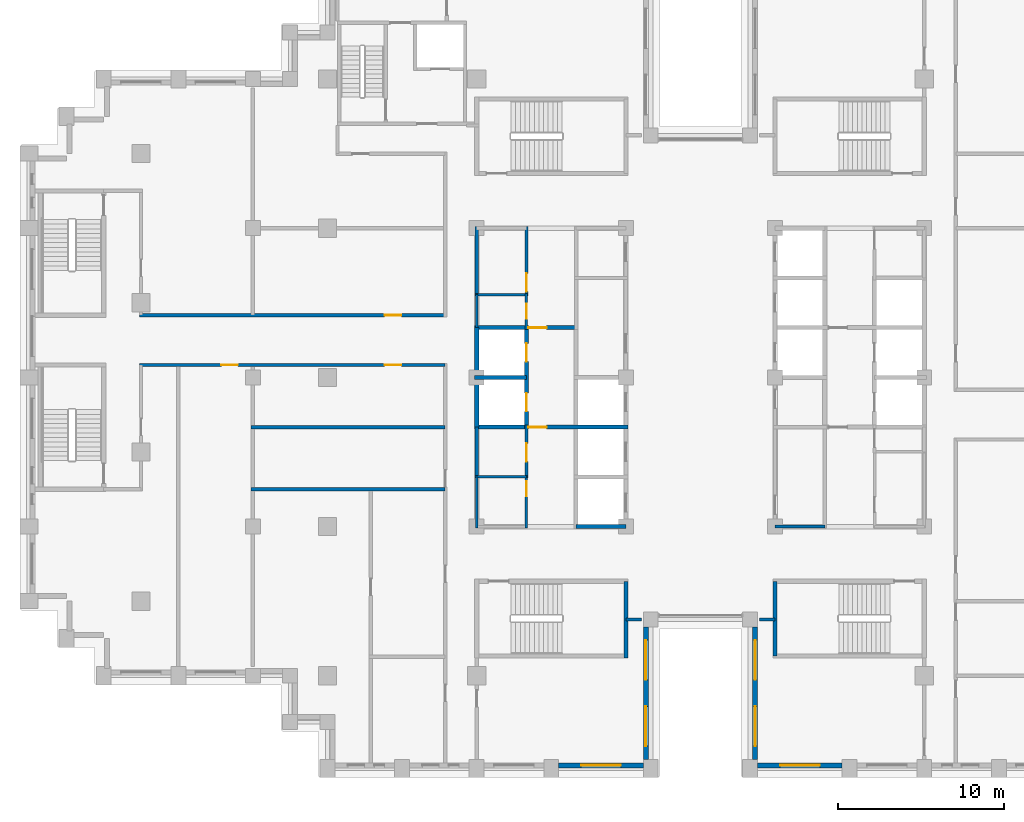
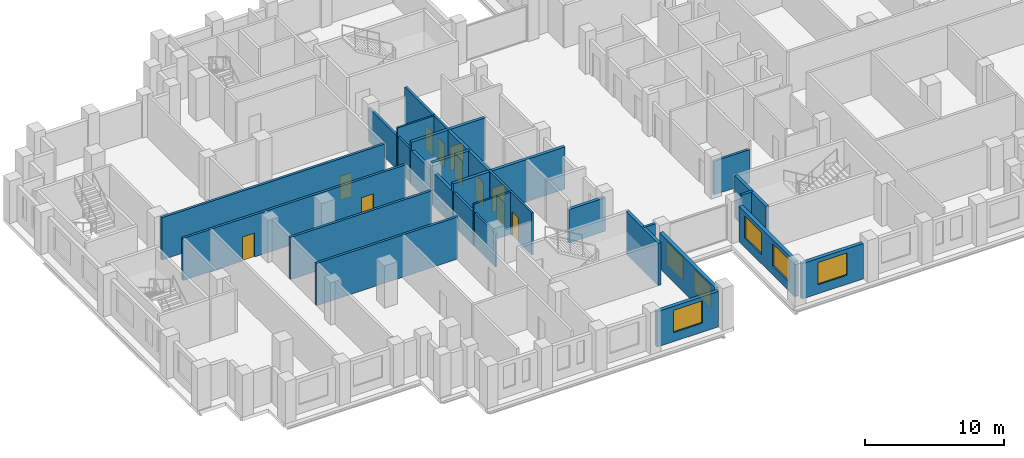
# One storey, part 7 of 15: 29 walls, 11 doors, 6 windows, 17 openings.
"""IFC4 building model written with IfcOpenShell, lengths in metres."""

from ifc_helpers import new_model, si_unit, direction, frame, frame_2d, origin, place, context, subcontext, project, spatial, rectangle, extrude, material, layer, layer_set, type_object, element, fill, save


model = new_model("IFC4")

# Units and contexts
model_context = context("Model", 3, precision=1e-05, world=origin(), true_north=direction((0.0, 1.0)))
body_context = subcontext(model_context, "Body", "Model", "MODEL_VIEW")
ifc_project = project(units=[si_unit("LENGTHUNIT", "METRE"), si_unit("AREAUNIT", "SQUARE_METRE"), si_unit("VOLUMEUNIT", "CUBIC_METRE"), si_unit("PLANEANGLEUNIT", "RADIAN"), si_unit("MASSUNIT", "GRAM", prefix="KILO")], contexts=[model_context])

# Site, building, storey
site_placement = place(None, origin())
site = spatial("IfcSite", under=ifc_project, at=site_placement, CompositionType="ELEMENT")
building_placement = place(site_placement, origin())
building = spatial("IfcBuilding", under=site, at=building_placement, Name="Corbelhall Arena Tower", CompositionType="ELEMENT")
storey_placement = place(building_placement, frame((0.0, 0.0, 130.0)))
storey = spatial("IfcBuildingStorey", under=building, at=storey_placement, Name="L24", CompositionType="ELEMENT", Elevation=130.0)

# Wall, opening, window
ifc_material_1 = material(Name="Precast concrete C40/50 with granite facing", Category="masonry")
ifc_layer_1 = layer(ifc_material_1, 0.300048828125)
ifc_layer_set_1 = layer_set([ifc_layer_1], Name="EV-IW1 Infill panel 300")
wall_type_1 = type_object("IfcWallType", Name="EV-IW1 Infill panel 300", PredefinedType="SOLIDWALL", material=ifc_layer_set_1)
wall_1_placement = place(storey_placement, frame((-8.550048828125, -23.39990234375, 0.0), z_axis=(0.0, 0.0, 1.0), x_axis=(1.0, 0.0, 0.0)))
wall_1 = element("IfcWall", 1, at=wall_1_placement, inside=storey, type_object=wall_type_1, Name="Infill panel IW1", PredefinedType="SOLIDWALL", context=body_context, shape_type="SweptSolid", body=[
    extrude(rectangle(XDim=5.10009765625, YDim=0.300048828125, at=frame_2d((2.550048828125, 0.0))), origin(), (0.0, 0.0, 1.0), 3.10009765625),
])
opening_1_placement = place(wall_1_placement, frame((1.35009765625, 0.0, 0.800048828125)))
opening_1 = element("IfcOpeningElement", 2, at=opening_1_placement, cuts=wall_1, Name="Opening WN1", PredefinedType="OPENING", context=body_context, shape_type="SweptSolid", body=[
    extrude(rectangle(XDim=2.39990234375, YDim=1.949951171875, at=frame_2d((1.199951171875, 0.97509765625))), frame((0.0, 0.14990234375, 0.0), z_axis=(0.0, -1.0, 0.0), x_axis=(1.0, 0.0, 0.0)), (0.0, 0.0, 1.0), 0.300048828125),
])
ifc_material_2 = material(Name="Aluminium black anodised", Category="aluminium")
window_type = type_object("IfcWindowType", Name="EV-WN1 Office window", PartitioningType="SINGLE_PANEL", PredefinedType="WINDOW", material=ifc_material_2)
window_1_placement = place(opening_1_placement, origin())
window_1 = element("IfcWindow", 3, at=window_1_placement, inside=storey, type_object=window_type, Name="Window WN1", OverallHeight=1.949951171875, OverallWidth=2.39990234375, PartitioningType="SINGLE_PANEL", PredefinedType="WINDOW", context=body_context, shape_type="SweptSolid", body=[
    extrude(rectangle(XDim=2.39990234375, YDim=1.949951171875, at=frame_2d((1.199951171875, 0.97509765625))), frame((0.0, 0.030029296875, 0.0), z_axis=(0.0, -1.0, 0.0), x_axis=(1.0, 0.0, 0.0)), (0.0, 0.0, 1.0), 0.06005859375),
])
fill(opening_1, window_1)

# Wall, openings, windows
wall_2_placement = place(storey_placement, frame((-3.300048828125, -23.050048828125, 0.0), z_axis=(0.0, 0.0, 1.0), x_axis=(0.0, 1.0, 0.0)))
wall_2 = element("IfcWall", 4, at=wall_2_placement, inside=storey, type_object=wall_type_1, Name="Infill panel IW1", PredefinedType="SOLIDWALL", context=body_context, shape_type="SweptSolid", body=[
    extrude(rectangle(XDim=8.0, YDim=0.300048828125, at=frame_2d((4.0, 0.0))), origin(), (0.0, 0.0, 1.0), 3.10009765625),
])
opening_2_placement = place(wall_2_placement, frame((0.800048828125, 0.0, 0.800048828125)))
opening_2 = element("IfcOpeningElement", 5, at=opening_2_placement, cuts=wall_2, Name="Opening WN1", PredefinedType="OPENING", context=body_context, shape_type="SweptSolid", body=[
    extrude(rectangle(XDim=2.39990234375, YDim=1.949951171875, at=frame_2d((1.199951171875, 0.97509765625))), frame((0.0, 0.14990234375, 0.0), z_axis=(0.0, -1.0, 0.0), x_axis=(1.0, 0.0, 0.0)), (0.0, 0.0, 1.0), 0.300048828125),
])
opening_3_placement = place(wall_2_placement, frame((4.800048828125, 0.0, 0.800048828125)))
opening_3 = element("IfcOpeningElement", 6, at=opening_3_placement, cuts=wall_2, Name="Opening WN1", PredefinedType="OPENING", context=body_context, shape_type="SweptSolid", body=[
    extrude(rectangle(XDim=2.39990234375, YDim=1.949951171875, at=frame_2d((1.199951171875, 0.97509765625))), frame((0.0, 0.14990234375, 0.0), z_axis=(0.0, -1.0, 0.0), x_axis=(1.0, 0.0, 0.0)), (0.0, 0.0, 1.0), 0.300048828125),
])
window_2_placement = place(opening_2_placement, origin())
window_2 = element("IfcWindow", 7, at=window_2_placement, inside=storey, type_object=window_type, Name="Window WN1", OverallHeight=1.949951171875, OverallWidth=2.39990234375, PartitioningType="SINGLE_PANEL", PredefinedType="WINDOW", context=body_context, shape_type="SweptSolid", body=[
    extrude(rectangle(XDim=2.39990234375, YDim=1.949951171875, at=frame_2d((1.199951171875, 0.97509765625))), frame((0.0, 0.030029296875, 0.0), z_axis=(0.0, -1.0, 0.0), x_axis=(1.0, 0.0, 0.0)), (0.0, 0.0, 1.0), 0.06005859375),
])
fill(opening_2, window_2)
window_3_placement = place(opening_3_placement, origin())
window_3 = element("IfcWindow", 8, at=window_3_placement, inside=storey, type_object=window_type, Name="Window WN1", OverallHeight=1.949951171875, OverallWidth=2.39990234375, PartitioningType="SINGLE_PANEL", PredefinedType="WINDOW", context=body_context, shape_type="SweptSolid", body=[
    extrude(rectangle(XDim=2.39990234375, YDim=1.949951171875, at=frame_2d((1.199951171875, 0.97509765625))), frame((0.0, 0.030029296875, 0.0), z_axis=(0.0, -1.0, 0.0), x_axis=(1.0, 0.0, 0.0)), (0.0, 0.0, 1.0), 0.06005859375),
])
fill(opening_3, window_3)

wall_3_placement = place(storey_placement, frame((3.300048828125, -15.050048828125, 0.0), z_axis=(0.0, 0.0, 1.0), x_axis=(0.0, -1.0, 0.0)))
wall_3 = element("IfcWall", 9, at=wall_3_placement, inside=storey, type_object=wall_type_1, Name="Infill panel IW1", PredefinedType="SOLIDWALL", context=body_context, shape_type="SweptSolid", body=[
    extrude(rectangle(XDim=8.0, YDim=0.300048828125, at=frame_2d((4.0, 0.0))), origin(), (0.0, 0.0, 1.0), 3.10009765625),
])
opening_4_placement = place(wall_3_placement, frame((0.800048828125, 0.0, 0.800048828125)))
opening_4 = element("IfcOpeningElement", 10, at=opening_4_placement, cuts=wall_3, Name="Opening WN1", PredefinedType="OPENING", context=body_context, shape_type="SweptSolid", body=[
    extrude(rectangle(XDim=2.39990234375, YDim=1.949951171875, at=frame_2d((1.199951171875, 0.97509765625))), frame((0.0, 0.14990234375, 0.0), z_axis=(0.0, -1.0, 0.0), x_axis=(1.0, 0.0, 0.0)), (0.0, 0.0, 1.0), 0.300048828125),
])
opening_5_placement = place(wall_3_placement, frame((4.800048828125, 0.0, 0.800048828125)))
opening_5 = element("IfcOpeningElement", 11, at=opening_5_placement, cuts=wall_3, Name="Opening WN1", PredefinedType="OPENING", context=body_context, shape_type="SweptSolid", body=[
    extrude(rectangle(XDim=2.39990234375, YDim=1.949951171875, at=frame_2d((1.199951171875, 0.97509765625))), frame((0.0, 0.14990234375, 0.0), z_axis=(0.0, -1.0, 0.0), x_axis=(1.0, 0.0, 0.0)), (0.0, 0.0, 1.0), 0.300048828125),
])
window_4_placement = place(opening_4_placement, origin())
window_4 = element("IfcWindow", 12, at=window_4_placement, inside=storey, type_object=window_type, Name="Window WN1", OverallHeight=1.949951171875, OverallWidth=2.39990234375, PartitioningType="SINGLE_PANEL", PredefinedType="WINDOW", context=body_context, shape_type="SweptSolid", body=[
    extrude(rectangle(XDim=2.39990234375, YDim=1.949951171875, at=frame_2d((1.199951171875, 0.97509765625))), frame((0.0, 0.030029296875, 0.0), z_axis=(0.0, -1.0, 0.0), x_axis=(1.0, 0.0, 0.0)), (0.0, 0.0, 1.0), 0.06005859375),
])
fill(opening_4, window_4)
window_5_placement = place(opening_5_placement, origin())
window_5 = element("IfcWindow", 13, at=window_5_placement, inside=storey, type_object=window_type, Name="Window WN1", OverallHeight=1.949951171875, OverallWidth=2.39990234375, PartitioningType="SINGLE_PANEL", PredefinedType="WINDOW", context=body_context, shape_type="SweptSolid", body=[
    extrude(rectangle(XDim=2.39990234375, YDim=1.949951171875, at=frame_2d((1.199951171875, 0.97509765625))), frame((0.0, 0.030029296875, 0.0), z_axis=(0.0, -1.0, 0.0), x_axis=(1.0, 0.0, 0.0)), (0.0, 0.0, 1.0), 0.06005859375),
])
fill(opening_5, window_5)

# Wall, opening, window
wall_4_placement = place(storey_placement, frame((3.449951171875, -23.39990234375, 0.0), z_axis=(0.0, 0.0, 1.0), x_axis=(1.0, 0.0, 0.0)))
wall_4 = element("IfcWall", 14, at=wall_4_placement, inside=storey, type_object=wall_type_1, Name="Infill panel IW1", PredefinedType="SOLIDWALL", context=body_context, shape_type="SweptSolid", body=[
    extrude(rectangle(XDim=5.10009765625, YDim=0.300048828125, at=frame_2d((2.550048828125, 0.0))), origin(), (0.0, 0.0, 1.0), 3.10009765625),
])
opening_6_placement = place(wall_4_placement, frame((1.35009765625, 0.0, 0.800048828125)))
opening_6 = element("IfcOpeningElement", 15, at=opening_6_placement, cuts=wall_4, Name="Opening WN1", PredefinedType="OPENING", context=body_context, shape_type="SweptSolid", body=[
    extrude(rectangle(XDim=2.39990234375, YDim=1.949951171875, at=frame_2d((1.199951171875, 0.97509765625))), frame((0.0, 0.14990234375, 0.0), z_axis=(0.0, -1.0, 0.0), x_axis=(1.0, 0.0, 0.0)), (0.0, 0.0, 1.0), 0.300048828125),
])
window_6_placement = place(opening_6_placement, origin())
window_6 = element("IfcWindow", 16, at=window_6_placement, inside=storey, type_object=window_type, Name="Window WN1", OverallHeight=1.949951171875, OverallWidth=2.39990234375, PartitioningType="SINGLE_PANEL", PredefinedType="WINDOW", context=body_context, shape_type="SweptSolid", body=[
    extrude(rectangle(XDim=2.39990234375, YDim=1.949951171875, at=frame_2d((1.199951171875, 0.97509765625))), frame((0.0, 0.030029296875, 0.0), z_axis=(0.0, -1.0, 0.0), x_axis=(1.0, 0.0, 0.0)), (0.0, 0.0, 1.0), 0.06005859375),
])
fill(opening_6, window_6)

# Wall, opening, door
ifc_material_3 = material(Name="Gypsum board on steel stud, acoustic", Category="steel")
ifc_layer_2 = layer(ifc_material_3, 0.199951171875)
ifc_layer_set_2 = layer_set([ifc_layer_2], Name="IN-W-DM200")
wall_type_2 = type_object("IfcWallType", Name="IN-W-DM200", PredefinedType="PARTITIONING", material=ifc_layer_set_2)
wall_5_placement = place(storey_placement, frame((-33.85009765625, 3.75, 0.0), z_axis=(0.0, 0.0, 1.0), x_axis=(1.0, 0.0, 0.0)))
wall_5 = element("IfcWall", 17, at=wall_5_placement, inside=storey, type_object=wall_type_2, Name="Partition 002", PredefinedType="PARTITIONING", context=body_context, shape_type="SweptSolid", body=[
    extrude(rectangle(XDim=18.4501953125, YDim=0.199951171875, at=frame_2d((9.22509765625, 0.0))), origin(), (0.0, 0.0, 1.0), 3.699951171875),
])
opening_7_placement = place(wall_5_placement, frame((14.800048828125, 0.0, 0.0)))
opening_7 = element("IfcOpeningElement", 18, at=opening_7_placement, cuts=wall_5, Name="Opening 06027", PredefinedType="OPENING", context=body_context, shape_type="SweptSolid", body=[
    extrude(rectangle(XDim=1.0, YDim=2.10009765625, at=frame_2d((0.5, 1.050048828125))), frame((0.0, 0.10009765625, 0.0), z_axis=(0.0, -1.0, 0.0), x_axis=(1.0, 0.0, 0.0)), (0.0, 0.0, 1.0), 0.199951171875),
])
ifc_material_4 = material(Name="Steel door set", Category="steel")
door_type_1 = type_object("IfcDoorType", Name="IN-D-SW100", OperationType="NOTDEFINED", PredefinedType="DOOR", material=ifc_material_4)
door_1_placement = place(opening_7_placement, origin())
door_1 = element("IfcDoor", 19, at=door_1_placement, inside=storey, type_object=door_type_1, Name="Door 027", OperationType="SINGLE_SWING_RIGHT", OverallHeight=2.10009765625, OverallWidth=1.0, PredefinedType="DOOR", context=body_context, shape_type="SweptSolid", body=[
    extrude(rectangle(XDim=1.0, YDim=2.10009765625, at=frame_2d((0.5, 1.050048828125))), frame((0.0, 0.02490234375, 0.0), z_axis=(0.0, -1.0, 0.0), x_axis=(1.0, 0.0, 0.0)), (0.0, 0.0, 1.0), 0.050048828125),
])
fill(opening_7, door_1)

# Wall, openings, doors
wall_6_placement = place(storey_placement, frame((-15.39990234375, 0.75, 0.0), z_axis=(0.0, 0.0, 1.0), x_axis=(-1.0, 0.0, 0.0)))
wall_6 = element("IfcWall", 20, at=wall_6_placement, inside=storey, type_object=wall_type_2, Name="Partition 007", PredefinedType="PARTITIONING", context=body_context, shape_type="SweptSolid", body=[
    extrude(rectangle(XDim=18.4501953125, YDim=0.199951171875, at=frame_2d((9.22509765625, 0.0))), origin(), (0.0, 0.0, 1.0), 3.699951171875),
])
opening_8_placement = place(wall_6_placement, frame((2.64990234375, 0.0, 0.0)))
opening_8 = element("IfcOpeningElement", 21, at=opening_8_placement, cuts=wall_6, Name="Opening 06033", PredefinedType="OPENING", context=body_context, shape_type="SweptSolid", body=[
    extrude(rectangle(XDim=1.0, YDim=2.10009765625, at=frame_2d((0.5, 1.050048828125))), frame((0.0, 0.10009765625, 0.0), z_axis=(0.0, -1.0, 0.0), x_axis=(1.0, 0.0, 0.0)), (0.0, 0.0, 1.0), 0.199951171875),
])
opening_9_placement = place(wall_6_placement, frame((12.5, 0.0, 0.0)))
opening_9 = element("IfcOpeningElement", 22, at=opening_9_placement, cuts=wall_6, Name="Opening 06345", PredefinedType="OPENING", context=body_context, shape_type="SweptSolid", body=[
    extrude(rectangle(XDim=1.0, YDim=2.10009765625, at=frame_2d((0.5, 1.050048828125))), frame((0.0, 0.10009765625, 0.0), z_axis=(0.0, -1.0, 0.0), x_axis=(1.0, 0.0, 0.0)), (0.0, 0.0, 1.0), 0.199951171875),
])
door_2_placement = place(opening_8_placement, origin())
door_2 = element("IfcDoor", 23, at=door_2_placement, inside=storey, type_object=door_type_1, Name="Door 033", OperationType="SINGLE_SWING_RIGHT", OverallHeight=2.10009765625, OverallWidth=1.0, PredefinedType="DOOR", context=body_context, shape_type="SweptSolid", body=[
    extrude(rectangle(XDim=1.0, YDim=2.10009765625, at=frame_2d((0.5, 1.050048828125))), frame((0.0, 0.02490234375, 0.0), z_axis=(0.0, -1.0, 0.0), x_axis=(1.0, 0.0, 0.0)), (0.0, 0.0, 1.0), 0.050048828125),
])
fill(opening_8, door_2)
door_3_placement = place(opening_9_placement, origin())
door_3 = element("IfcDoor", 24, at=door_3_placement, inside=storey, type_object=door_type_1, Name="Door 045", OperationType="SINGLE_SWING_RIGHT", OverallHeight=2.10009765625, OverallWidth=1.0, PredefinedType="DOOR", context=body_context, shape_type="SweptSolid", body=[
    extrude(rectangle(XDim=1.0, YDim=2.10009765625, at=frame_2d((0.5, 1.050048828125))), frame((0.0, 0.02490234375, 0.0), z_axis=(0.0, -1.0, 0.0), x_axis=(1.0, 0.0, 0.0)), (0.0, 0.0, 1.0), 0.050048828125),
])
fill(opening_9, door_3)

# Walls
for number, where, z_axis, x_axis, name in (
    (25, (-27.10009765625, -6.75, 0.0), (0.0, 0.0, 1.0), (1.0, 0.0, 0.0), "Partition 008"),
    (26, (-27.10009765625, -3.0, 0.0), (0.0, 0.0, 1.0), (1.0, 0.0, 0.0), "Partition 009"),
):
    element("IfcWall", number, at=place(storey_placement, frame(where, z_axis=z_axis, x_axis=x_axis)), inside=storey, type_object=wall_type_2, Name=name, PredefinedType="PARTITIONING", context=body_context, shape_type="SweptSolid", body=[
        extrude(rectangle(XDim=11.7001953125, YDim=0.199951171875, at=frame_2d((5.85009765625, 0.0))), origin(), (0.0, 0.0, 1.0), 3.699951171875),
    ])
for number, where, z_axis, x_axis, name in (
    (27, (-3.550048828125, -14.60009765625, 0.0), (0.0, 0.0, 1.0), (-1.0, 0.0, 0.0), "Partition 024"),
    (28, (4.5, -14.60009765625, 0.0), (0.0, 0.0, 1.0), (-1.0, 0.0, 0.0), "Partition 026"),
):
    element("IfcWall", number, at=place(storey_placement, frame(where, z_axis=z_axis, x_axis=x_axis)), inside=storey, type_object=wall_type_2, Name=name, PredefinedType="PARTITIONING", context=body_context, shape_type="SweptSolid", body=[
        extrude(rectangle(XDim=0.949951171875, YDim=0.199951171875, at=frame_2d((0.47509765625, 0.0))), origin(), (0.0, 0.0, 1.0), 3.699951171875),
    ])

# Wall, opening, door
ifc_material_5 = material(Name="Concrete block wall", Category="concrete")
ifc_layer_3 = layer(ifc_material_5, 0.199951171875)
ifc_layer_set_3 = layer_set([ifc_layer_3], Name="IN-W-RS200")
wall_type_3 = type_object("IfcWallType", Name="IN-W-RS200", PredefinedType="SOLIDWALL", material=ifc_layer_set_3)
wall_7_placement = place(storey_placement, frame((-10.5, -6.074951171875, 0.0), z_axis=(0.0, 0.0, 1.0), x_axis=(0.0, 1.0, 0.0)))
wall_7 = element("IfcWall", 29, at=wall_7_placement, inside=storey, type_object=wall_type_3, Name="Partition 050", PredefinedType="SOLIDWALL", context=body_context, shape_type="SweptSolid", body=[
    extrude(rectangle(XDim=3.199951171875, YDim=0.199951171875, at=frame_2d((1.60009765625, 0.0))), origin(), (0.0, 0.0, 1.0), 3.699951171875),
])
opening_10_placement = place(wall_7_placement, frame((1.0, 0.0, 0.0)))
opening_10 = element("IfcOpeningElement", 30, at=opening_10_placement, cuts=wall_7, Name="Opening 06006", PredefinedType="OPENING", context=body_context, shape_type="SweptSolid", body=[
    extrude(rectangle(XDim=1.10009765625, YDim=2.10009765625, at=frame_2d((0.550048828125, 1.050048828125))), frame((0.0, 0.10009765625, 0.0), z_axis=(0.0, -1.0, 0.0), x_axis=(1.0, 0.0, 0.0)), (0.0, 0.0, 1.0), 0.199951171875),
])
door_type_2 = type_object("IfcDoorType", Name="IN-D-FD110", OperationType="NOTDEFINED", PredefinedType="DOOR", material=ifc_material_4)
door_4_placement = place(opening_10_placement, origin())
door_4 = element("IfcDoor", 31, at=door_4_placement, inside=storey, type_object=door_type_2, Name="Door 006", OperationType="SINGLE_SWING_LEFT", OverallHeight=2.10009765625, OverallWidth=1.10009765625, PredefinedType="DOOR", context=body_context, shape_type="SweptSolid", body=[
    extrude(rectangle(XDim=1.10009765625, YDim=2.10009765625, at=frame_2d((0.550048828125, 1.050048828125))), frame((0.0, 0.02490234375, 0.0), z_axis=(0.0, -1.0, 0.0), x_axis=(1.0, 0.0, 0.0)), (0.0, 0.0, 1.0), 0.050048828125),
])
fill(opening_10, door_4)

wall_8_placement = place(storey_placement, frame((-10.5, 4.925048828125, 0.0), z_axis=(0.0, 0.0, 1.0), x_axis=(0.0, 1.0, 0.0)))
wall_8 = element("IfcWall", 32, at=wall_8_placement, inside=storey, type_object=wall_type_3, Name="Partition 051", PredefinedType="SOLIDWALL", context=body_context, shape_type="SweptSolid", body=[
    extrude(rectangle(XDim=4.175048828125, YDim=0.199951171875, at=frame_2d((2.08740234375, 0.0))), origin(), (0.0, 0.0, 1.0), 3.699951171875),
])
opening_11_placement = place(wall_8_placement, frame((0.25, 0.0, 0.0)))
opening_11 = element("IfcOpeningElement", 33, at=opening_11_placement, cuts=wall_8, Name="Opening 06007", PredefinedType="OPENING", context=body_context, shape_type="SweptSolid", body=[
    extrude(rectangle(XDim=1.10009765625, YDim=2.10009765625, at=frame_2d((0.550048828125, 1.050048828125))), frame((0.0, 0.10009765625, 0.0), z_axis=(0.0, -1.0, 0.0), x_axis=(1.0, 0.0, 0.0)), (0.0, 0.0, 1.0), 0.199951171875),
])
door_5_placement = place(opening_11_placement, origin())
door_5 = element("IfcDoor", 34, at=door_5_placement, inside=storey, type_object=door_type_2, Name="Door 007", OperationType="SINGLE_SWING_RIGHT", OverallHeight=2.10009765625, OverallWidth=1.10009765625, PredefinedType="DOOR", context=body_context, shape_type="SweptSolid", body=[
    extrude(rectangle(XDim=1.10009765625, YDim=2.10009765625, at=frame_2d((0.550048828125, 1.050048828125))), frame((0.0, 0.02490234375, 0.0), z_axis=(0.0, -1.0, 0.0), x_axis=(1.0, 0.0, 0.0)), (0.0, 0.0, 1.0), 0.050048828125),
])
fill(opening_11, door_5)

# Walls
ifc_layer_4 = layer(ifc_material_5, 0.199951171875)
ifc_layer_set_4 = layer_set([ifc_layer_4], Name="IN-W-RS200 under beam 762 mm")
wall_type_4 = type_object("IfcWallType", Name="IN-W-RS200 under beam 762 mm", PredefinedType="SOLIDWALL", material=ifc_layer_set_4)
wall_9_placement = place(storey_placement, frame((-13.5, -6.0, 0.0), z_axis=(0.0, 0.0, 1.0), x_axis=(0.0, 1.0, 0.0)))
element("IfcWall", 35, at=wall_9_placement, inside=storey, type_object=wall_type_4, Name="Partition 047", PredefinedType="SOLIDWALL", context=body_context, shape_type="SweptSolid", body=[
    extrude(rectangle(XDim=3.0, YDim=0.199951171875, at=frame_2d((1.5, 0.0))), origin(), (0.0, 0.0, 1.0), 2.93798828125),
])
wall_10_placement = place(storey_placement, frame((-13.5, 5.0, 0.0), z_axis=(0.0, 0.0, 1.0), x_axis=(0.0, 1.0, 0.0)))
element("IfcWall", 36, at=wall_10_placement, inside=storey, type_object=wall_type_4, Name="Partition 048", PredefinedType="SOLIDWALL", context=body_context, shape_type="SweptSolid", body=[
    extrude(rectangle(XDim=4.10009765625, YDim=0.199951171875, at=frame_2d((2.050048828125, 0.0))), origin(), (0.0, 0.0, 1.0), 2.93798828125),
])
wall_11_placement = place(storey_placement, frame((7.5, -9.0, 0.0), z_axis=(0.0, 0.0, 1.0), x_axis=(-1.0, 0.0, 0.0)))
element("IfcWall", 37, at=wall_11_placement, inside=storey, type_object=wall_type_4, Name="Partition 058", PredefinedType="SOLIDWALL", context=body_context, shape_type="SweptSolid", body=[
    extrude(rectangle(XDim=3.0, YDim=0.199951171875, at=frame_2d((1.5, 0.0))), origin(), (0.0, 0.0, 1.0), 2.93798828125),
])
ifc_material_6 = material(Name="Concrete C40/50", Category="concrete")
ifc_layer_5 = layer(ifc_material_6, 0.25)
ifc_layer_set_5 = layer_set([ifc_layer_5], Name="IN-W-SH250")
wall_type_5 = type_object("IfcWallType", Name="IN-W-SH250", PredefinedType="SOLIDWALL", material=ifc_layer_set_5)
wall_12_placement = place(storey_placement, frame((-13.625, 0.0, 0.0), z_axis=(0.0, 0.0, 1.0), x_axis=(1.0, 0.0, 0.0)))
element("IfcWall", 38, at=wall_12_placement, inside=storey, type_object=wall_type_5, Name="Shaft wall 065", PredefinedType="SOLIDWALL", context=body_context, shape_type="SweptSolid", body=[
    extrude(rectangle(XDim=3.125, YDim=0.25, at=frame_2d((1.5625, 0.0))), origin(), (0.0, 0.0, 1.0), 3.699951171875),
])

# Wall, opening, door
wall_13_placement = place(storey_placement, frame((-13.625, 3.0, 0.0), z_axis=(0.0, 0.0, 1.0), x_axis=(1.0, 0.0, 0.0)))
wall_13 = element("IfcWall", 39, at=wall_13_placement, inside=storey, type_object=wall_type_5, Name="Shaft wall 066", PredefinedType="SOLIDWALL", context=body_context, shape_type="SweptSolid", body=[
    extrude(rectangle(XDim=6.125, YDim=0.25, at=frame_2d((3.0625, 0.0))), origin(), (0.0, 0.0, 1.0), 3.699951171875),
])
opening_12_placement = place(wall_13_placement, frame((3.25, 0.0, 0.0)))
opening_12 = element("IfcOpeningElement", 40, at=opening_12_placement, cuts=wall_13, Name="Opening 06004", PredefinedType="OPENING", context=body_context, shape_type="SweptSolid", body=[
    extrude(rectangle(XDim=1.10009765625, YDim=2.10009765625, at=frame_2d((0.550048828125, 1.050048828125))), frame((0.0, 0.125, 0.0), z_axis=(0.0, -1.0, 0.0), x_axis=(1.0, 0.0, 0.0)), (0.0, 0.0, 1.0), 0.25),
])
door_6_placement = place(opening_12_placement, origin())
door_6 = element("IfcDoor", 41, at=door_6_placement, inside=storey, type_object=door_type_2, Name="Door 004", OperationType="SINGLE_SWING_LEFT", OverallHeight=2.10009765625, OverallWidth=1.10009765625, PredefinedType="DOOR", context=body_context, shape_type="SweptSolid", body=[
    extrude(rectangle(XDim=1.10009765625, YDim=2.10009765625, at=frame_2d((0.550048828125, 1.050048828125))), frame((0.0, 0.02490234375, 0.0), z_axis=(0.0, -1.0, 0.0), x_axis=(1.0, 0.0, 0.0)), (0.0, 0.0, 1.0), 0.050048828125),
])
fill(opening_12, door_6)

wall_14_placement = place(storey_placement, frame((-13.625, -3.0, 0.0), z_axis=(0.0, 0.0, 1.0), x_axis=(1.0, 0.0, 0.0)))
wall_14 = element("IfcWall", 42, at=wall_14_placement, inside=storey, type_object=wall_type_5, Name="Shaft wall 068", PredefinedType="SOLIDWALL", context=body_context, shape_type="SweptSolid", body=[
    extrude(rectangle(XDim=9.25, YDim=0.25, at=frame_2d((4.625, 0.0))), origin(), (0.0, 0.0, 1.0), 3.699951171875),
])
opening_13_placement = place(wall_14_placement, frame((3.25, 0.0, 0.0)))
opening_13 = element("IfcOpeningElement", 43, at=opening_13_placement, cuts=wall_14, Name="Opening 06003", PredefinedType="OPENING", context=body_context, shape_type="SweptSolid", body=[
    extrude(rectangle(XDim=1.10009765625, YDim=2.10009765625, at=frame_2d((0.550048828125, 1.050048828125))), frame((0.0, 0.125, 0.0), z_axis=(0.0, -1.0, 0.0), x_axis=(1.0, 0.0, 0.0)), (0.0, 0.0, 1.0), 0.25),
])
door_7_placement = place(opening_13_placement, origin())
door_7 = element("IfcDoor", 44, at=door_7_placement, inside=storey, type_object=door_type_2, Name="Door 003", OperationType="SINGLE_SWING_RIGHT", OverallHeight=2.10009765625, OverallWidth=1.10009765625, PredefinedType="DOOR", context=body_context, shape_type="SweptSolid", body=[
    extrude(rectangle(XDim=1.10009765625, YDim=2.10009765625, at=frame_2d((0.550048828125, 1.050048828125))), frame((0.0, 0.02490234375, 0.0), z_axis=(0.0, -1.0, 0.0), x_axis=(1.0, 0.0, 0.0)), (0.0, 0.0, 1.0), 0.050048828125),
])
fill(opening_13, door_7)

# Wall, openings, doors
wall_15_placement = place(storey_placement, frame((-10.5, -3.125, 0.0), z_axis=(0.0, 0.0, 1.0), x_axis=(0.0, 1.0, 0.0)))
wall_15 = element("IfcWall", 45, at=wall_15_placement, inside=storey, type_object=wall_type_5, Name="Shaft wall 069", PredefinedType="SOLIDWALL", context=body_context, shape_type="SweptSolid", body=[
    extrude(rectangle(XDim=6.25, YDim=0.25, at=frame_2d((3.125, 0.0))), origin(), (0.0, 0.0, 1.0), 3.699951171875),
])
opening_14_placement = place(wall_15_placement, frame((1.074951171875, 0.0, 0.0)))
opening_14 = element("IfcOpeningElement", 46, at=opening_14_placement, cuts=wall_15, Name="Opening LD", PredefinedType="OPENING", context=body_context, shape_type="SweptSolid", body=[
    extrude(rectangle(XDim=1.10009765625, YDim=2.10009765625, at=frame_2d((0.550048828125, 1.050048828125))), frame((0.0, 0.125, 0.0), z_axis=(0.0, -1.0, 0.0), x_axis=(1.0, 0.0, 0.0)), (0.0, 0.0, 1.0), 0.25),
])
opening_15_placement = place(wall_15_placement, frame((4.074951171875, 0.0, 0.0)))
opening_15 = element("IfcOpeningElement", 47, at=opening_15_placement, cuts=wall_15, Name="Opening LD", PredefinedType="OPENING", context=body_context, shape_type="SweptSolid", body=[
    extrude(rectangle(XDim=1.10009765625, YDim=2.10009765625, at=frame_2d((0.550048828125, 1.050048828125))), frame((0.0, 0.125, 0.0), z_axis=(0.0, -1.0, 0.0), x_axis=(1.0, 0.0, 0.0)), (0.0, 0.0, 1.0), 0.25),
])
door_type_3 = type_object("IfcDoorType", Name="IN-D-LD110", OperationType="NOTDEFINED", PredefinedType="DOOR", material=ifc_material_4)
door_8_placement = place(opening_14_placement, origin())
door_8 = element("IfcDoor", 48, at=door_8_placement, inside=storey, type_object=door_type_3, Name="Landing door W3", OperationType="SLIDING_TO_LEFT", OverallHeight=2.10009765625, OverallWidth=1.10009765625, PredefinedType="DOOR", context=body_context, shape_type="SweptSolid", body=[
    extrude(rectangle(XDim=1.10009765625, YDim=2.10009765625, at=frame_2d((0.550048828125, 1.050048828125))), frame((0.0, 0.02490234375, 0.0), z_axis=(0.0, -1.0, 0.0), x_axis=(1.0, 0.0, 0.0)), (0.0, 0.0, 1.0), 0.050048828125),
])
fill(opening_14, door_8)
door_9_placement = place(opening_15_placement, origin())
door_9 = element("IfcDoor", 49, at=door_9_placement, inside=storey, type_object=door_type_3, Name="Landing door W4", OperationType="SLIDING_TO_LEFT", OverallHeight=2.10009765625, OverallWidth=1.10009765625, PredefinedType="DOOR", context=body_context, shape_type="SweptSolid", body=[
    extrude(rectangle(XDim=1.10009765625, YDim=2.10009765625, at=frame_2d((0.550048828125, 1.050048828125))), frame((0.0, 0.02490234375, 0.0), z_axis=(0.0, -1.0, 0.0), x_axis=(1.0, 0.0, 0.0)), (0.0, 0.0, 1.0), 0.050048828125),
])
fill(opening_15, door_9)

# Walls
ifc_layer_6 = layer(ifc_material_6, 0.25)
ifc_layer_set_6 = layer_set([ifc_layer_6], Name="IN-W-SH250 under beam 762 mm")
wall_type_6 = type_object("IfcWallType", Name="IN-W-SH250 under beam 762 mm", PredefinedType="SOLIDWALL", material=ifc_layer_set_6)
wall_16_placement = place(storey_placement, frame((-13.5, -3.0, 0.0), z_axis=(0.0, 0.0, 1.0), x_axis=(0.0, 1.0, 0.0)))
element("IfcWall", 50, at=wall_16_placement, inside=storey, type_object=wall_type_6, Name="Shaft wall 067", PredefinedType="SOLIDWALL", context=body_context, shape_type="SweptSolid", body=[
    extrude(rectangle(XDim=6.0, YDim=0.25, at=frame_2d((3.0, 0.0))), origin(), (0.0, 0.0, 1.0), 2.93798828125),
])
wall_17_placement = place(storey_placement, frame((-4.5, -9.0, 0.0), z_axis=(0.0, 0.0, 1.0), x_axis=(-1.0, 0.0, 0.0)))
element("IfcWall", 51, at=wall_17_placement, inside=storey, type_object=wall_type_6, Name="Shaft wall 073", PredefinedType="SOLIDWALL", context=body_context, shape_type="SweptSolid", body=[
    extrude(rectangle(XDim=3.0, YDim=0.25, at=frame_2d((1.5, 0.0))), origin(), (0.0, 0.0, 1.0), 2.93798828125),
])
ifc_layer_7 = layer(ifc_material_6, 0.25)
ifc_layer_set_7 = layer_set([ifc_layer_7], Name="IN-W-ST250")
wall_type_7 = type_object("IfcWallType", Name="IN-W-ST250", PredefinedType="SOLIDWALL", material=ifc_layer_set_7)
wall_18_placement = place(storey_placement, frame((-4.5, -12.300048828125, 0.0), z_axis=(0.0, 0.0, 1.0), x_axis=(0.0, -1.0, 0.0)))
element("IfcWall", 52, at=wall_18_placement, inside=storey, type_object=wall_type_7, Name="Shaft wall 097", PredefinedType="SOLIDWALL", context=body_context, shape_type="SweptSolid", body=[
    extrude(rectangle(XDim=4.625, YDim=0.25, at=frame_2d((2.3125, 0.0))), origin(), (0.0, 0.0, 1.0), 3.699951171875),
])
wall_19_placement = place(storey_placement, frame((4.5, -16.800048828125, 0.0), z_axis=(0.0, 0.0, 1.0), x_axis=(0.0, 1.0, 0.0)))
element("IfcWall", 53, at=wall_19_placement, inside=storey, type_object=wall_type_7, Name="Shaft wall 102", PredefinedType="SOLIDWALL", context=body_context, shape_type="SweptSolid", body=[
    extrude(rectangle(XDim=4.5, YDim=0.25, at=frame_2d((2.25, 0.0))), origin(), (0.0, 0.0, 1.0), 3.699951171875),
])
ifc_material_7 = material(Name="Gypsum board on steel stud, moisture resistant", Category="steel")
ifc_layer_8 = layer(ifc_material_7, 0.14990234375)
ifc_layer_set_8 = layer_set([ifc_layer_8], Name="IN-W-WC150")
wall_type_8 = type_object("IfcWallType", Name="IN-W-WC150", PredefinedType="PARTITIONING", material=ifc_layer_set_8)
for number, where, z_axis, x_axis, name in (
    (54, (-13.60009765625, -6.0, 0.0), (0.0, 0.0, 1.0), (1.0, 0.0, 0.0), "Partition 114"),
    (55, (-13.60009765625, 5.0, 0.0), (0.0, 0.0, 1.0), (1.0, 0.0, 0.0), "Partition 115"),
):
    element("IfcWall", number, at=place(storey_placement, frame(where, z_axis=z_axis, x_axis=x_axis)), inside=storey, type_object=wall_type_8, Name=name, PredefinedType="PARTITIONING", context=body_context, shape_type="SweptSolid", body=[
        extrude(rectangle(XDim=3.10009765625, YDim=0.14990234375, at=frame_2d((1.550048828125, 0.0))), origin(), (0.0, 0.0, 1.0), 3.699951171875),
    ])

# Wall, opening, door
wall_20_placement = place(storey_placement, frame((-10.5, -9.074951171875, 0.0), z_axis=(0.0, 0.0, 1.0), x_axis=(0.0, 1.0, 0.0)))
wall_20 = element("IfcWall", 56, at=wall_20_placement, inside=storey, type_object=wall_type_8, Name="Partition 118", PredefinedType="PARTITIONING", context=body_context, shape_type="SweptSolid", body=[
    extrude(rectangle(XDim=3.14990234375, YDim=0.14990234375, at=frame_2d((1.574951171875, 0.0))), origin(), (0.0, 0.0, 1.0), 3.699951171875),
])
opening_16_placement = place(wall_20_placement, frame((1.89990234375, 0.0, 0.0)))
opening_16 = element("IfcOpeningElement", 57, at=opening_16_placement, cuts=wall_20, Name="Opening 06005", PredefinedType="OPENING", context=body_context, shape_type="SweptSolid", body=[
    extrude(rectangle(XDim=0.89990234375, YDim=2.10009765625, at=frame_2d((0.449951171875, 1.050048828125))), frame((0.0, 0.074951171875, 0.0), z_axis=(0.0, -1.0, 0.0), x_axis=(1.0, 0.0, 0.0)), (0.0, 0.0, 1.0), 0.14990234375),
])
ifc_material_8 = material(Name="Timber door set", Category="wood")
door_type_4 = type_object("IfcDoorType", Name="IN-D-SW90", OperationType="NOTDEFINED", PredefinedType="DOOR", material=ifc_material_8)
door_10_placement = place(opening_16_placement, origin())
door_10 = element("IfcDoor", 58, at=door_10_placement, inside=storey, type_object=door_type_4, Name="Door 005", OperationType="SINGLE_SWING_RIGHT", OverallHeight=2.10009765625, OverallWidth=0.89990234375, PredefinedType="DOOR", context=body_context, shape_type="SweptSolid", body=[
    extrude(rectangle(XDim=0.89990234375, YDim=2.10009765625, at=frame_2d((0.449951171875, 1.050048828125))), frame((0.0, 0.02490234375, 0.0), z_axis=(0.0, -1.0, 0.0), x_axis=(1.0, 0.0, 0.0)), (0.0, 0.0, 1.0), 0.050048828125),
])
fill(opening_16, door_10)

wall_21_placement = place(storey_placement, frame((-10.5, 2.875, 0.0), z_axis=(0.0, 0.0, 1.0), x_axis=(0.0, 1.0, 0.0)))
wall_21 = element("IfcWall", 59, at=wall_21_placement, inside=storey, type_object=wall_type_8, Name="Partition 120", PredefinedType="PARTITIONING", context=body_context, shape_type="SweptSolid", body=[
    extrude(rectangle(XDim=2.199951171875, YDim=0.14990234375, at=frame_2d((1.10009765625, 0.0))), origin(), (0.0, 0.0, 1.0), 3.699951171875),
])
opening_17_placement = place(wall_21_placement, frame((0.669921875, 0.0, 0.0)))
opening_17 = element("IfcOpeningElement", 60, at=opening_17_placement, cuts=wall_21, Name="Opening 06049", PredefinedType="OPENING", context=body_context, shape_type="SweptSolid", body=[
    extrude(rectangle(XDim=0.89990234375, YDim=2.10009765625, at=frame_2d((0.449951171875, 1.050048828125))), frame((0.0, 0.074951171875, 0.0), z_axis=(0.0, -1.0, 0.0), x_axis=(1.0, 0.0, 0.0)), (0.0, 0.0, 1.0), 0.14990234375),
])
door_11_placement = place(opening_17_placement, origin())
door_11 = element("IfcDoor", 61, at=door_11_placement, inside=storey, type_object=door_type_4, Name="Door 049", OperationType="SINGLE_SWING_LEFT", OverallHeight=2.10009765625, OverallWidth=0.89990234375, PredefinedType="DOOR", context=body_context, shape_type="SweptSolid", body=[
    extrude(rectangle(XDim=0.89990234375, YDim=2.10009765625, at=frame_2d((0.449951171875, 1.050048828125))), frame((0.0, 0.02490234375, 0.0), z_axis=(0.0, -1.0, 0.0), x_axis=(1.0, 0.0, 0.0)), (0.0, 0.0, 1.0), 0.050048828125),
])
fill(opening_17, door_11)

# Walls
ifc_layer_9 = layer(ifc_material_7, 0.14990234375)
ifc_layer_set_9 = layer_set([ifc_layer_9], Name="IN-W-WC150 under beam 762 mm")
wall_type_9 = type_object("IfcWallType", Name="IN-W-WC150 under beam 762 mm", PredefinedType="PARTITIONING", material=ifc_layer_set_9)
wall_22_placement = place(storey_placement, frame((-13.5, -9.074951171875, 0.0), z_axis=(0.0, 0.0, 1.0), x_axis=(0.0, 1.0, 0.0)))
element("IfcWall", 62, at=wall_22_placement, inside=storey, type_object=wall_type_9, Name="Partition 116", PredefinedType="PARTITIONING", context=body_context, shape_type="SweptSolid", body=[
    extrude(rectangle(XDim=3.074951171875, YDim=0.14990234375, at=frame_2d((1.53759765625, 0.0))), origin(), (0.0, 0.0, 1.0), 2.93798828125),
])
wall_23_placement = place(storey_placement, frame((-13.5, 3.0, 0.0), z_axis=(0.0, 0.0, 1.0), x_axis=(0.0, 1.0, 0.0)))
element("IfcWall", 63, at=wall_23_placement, inside=storey, type_object=wall_type_9, Name="Partition 117", PredefinedType="PARTITIONING", context=body_context, shape_type="SweptSolid", body=[
    extrude(rectangle(XDim=2.0, YDim=0.14990234375, at=frame_2d((1.0, 0.0))), origin(), (0.0, 0.0, 1.0), 2.93798828125),
])

save(model, "model.ifc")
